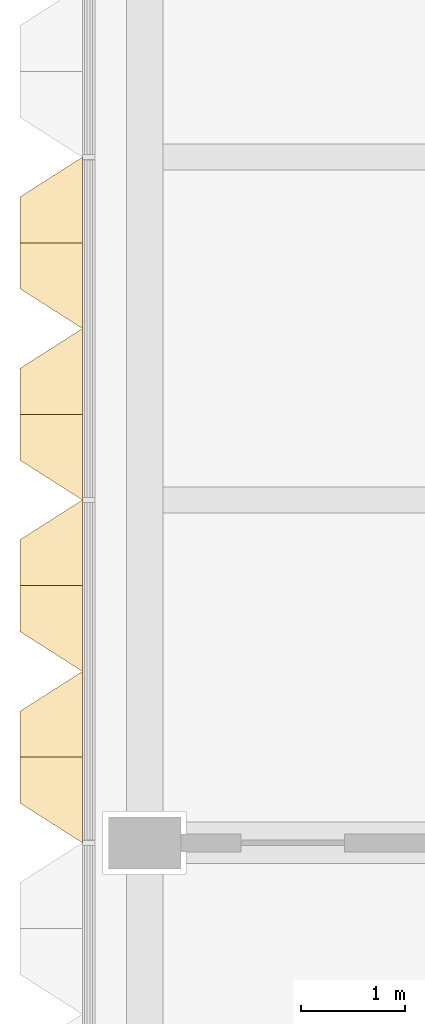
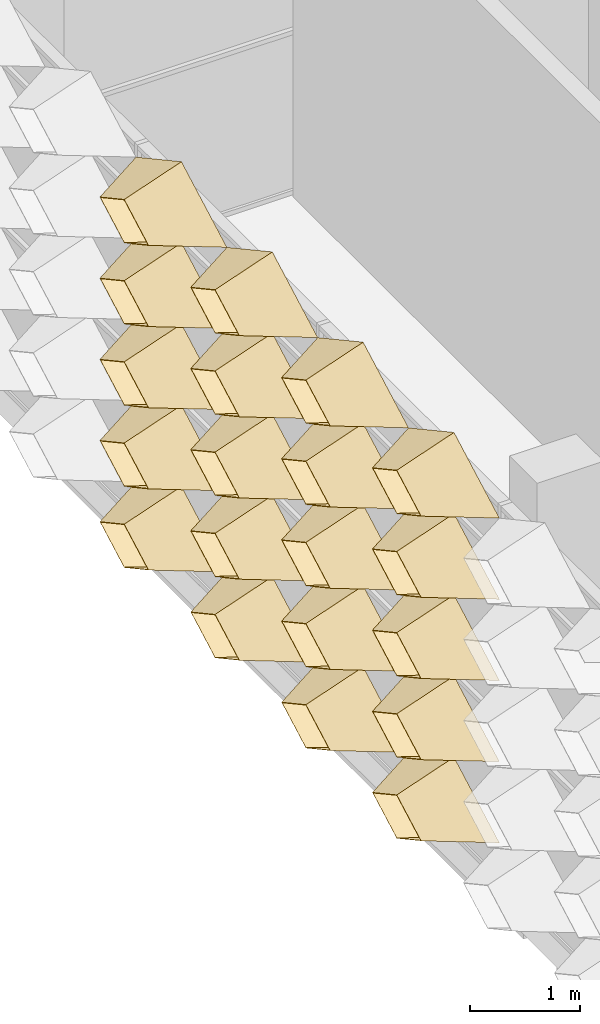
# One storey, part 21 of 29: 20 coverings.
"""IFC4 building model written with IfcOpenShell, lengths in metres."""

from ifc_helpers import new_model, entity, si_unit, direction, frame, origin, place, context, subcontext, project, spatial, material, layer, layer_set, type_object, element, save


model = new_model("IFC4")

# Units and contexts
model_context = context("Model", 3, precision=1e-05, world=origin(), true_north=direction((0.0, 1.0)))
body_context = subcontext(model_context, "Body", "Model", "MODEL_VIEW")
ifc_project = project(units=[si_unit("LENGTHUNIT", "METRE"), si_unit("AREAUNIT", "SQUARE_METRE"), si_unit("VOLUMEUNIT", "CUBIC_METRE"), si_unit("PLANEANGLEUNIT", "RADIAN"), si_unit("MASSUNIT", "GRAM", prefix="KILO")], contexts=[model_context])

# Site, building, storey
site_placement = place(None, origin())
site = spatial("IfcSite", under=ifc_project, at=site_placement, CompositionType="ELEMENT")
building_placement = place(site_placement, origin())
building = spatial("IfcBuilding", under=site, at=building_placement, Name="Lantern Court Research Institute", CompositionType="ELEMENT")
storey_placement = place(building_placement, frame((0.0, 0.0, 32.39990234375)))
storey = spatial("IfcBuildingStorey", under=building, at=storey_placement, Name="L07", CompositionType="ELEMENT", Elevation=32.39990234375)

# Coverings
ifc_material = material(Name="Anodised aluminium", Category="aluminium")
ifc_layer = layer(ifc_material, 0.01611328125)
ifc_layer_set = layer_set([ifc_layer], Name="Anodised aluminium")
covering_type = type_object("IfcCoveringType", Name="Fin cassette 1650 x 900 x 600 aluminium", PredefinedType="CLADDING", material=ifc_layer_set)
covering_1_placement = place(storey_placement, frame((52.199951171875, 14.02490234375, 0.4501953125), z_axis=(-1.0, 0.0, 0.0), x_axis=(0.0, -1.0, 0.0)))
cartesian_point_1 = entity("IfcCartesianPoint", [0.824951171875, 0.0])
cartesian_point_2 = entity("IfcCartesianPoint", [0.79150390625, 0.0])
cartesian_point_3 = entity("IfcCartesianPoint", [0.44189453125, 0.0])
cartesian_point_4 = entity("IfcCartesianPoint", [0.43359375, 0.0])
element("IfcCovering", 1, at=covering_1_placement, inside=storey, type_object=covering_type, Name="Fin cassette V5W-L07 1.9", PredefinedType="CLADDING", context=body_context, shape_type="SweptSolid", body=[
    entity("IfcExtrudedAreaSolidTapered", entity("IfcArbitraryProfileDefWithVoids", "AREA", None, entity("IfcPolyline", [cartesian_point_1, entity("IfcCartesianPoint", [0.0, 0.449951171875]), entity("IfcCartesianPoint", [-0.824951171875, 0.0]), entity("IfcCartesianPoint", [0.0, -0.449951171875]), cartesian_point_1]), [entity("IfcPolyline", [cartesian_point_2, entity("IfcCartesianPoint", [0.0, 0.431884765625]), entity("IfcCartesianPoint", [-0.79150390625, 0.0]), entity("IfcCartesianPoint", [0.0, -0.431884765625]), cartesian_point_2])]), entity("IfcAxis2Placement3D", entity("IfcCartesianPoint", [0.0, 0.0, 0.0])), entity("IfcDirection", [0.0, 0.0, 1.0]), 0.60009765625, entity("IfcArbitraryProfileDefWithVoids", "AREA", None, entity("IfcPolyline", [cartesian_point_3, entity("IfcCartesianPoint", [0.0, 0.240966796875]), entity("IfcCartesianPoint", [-0.44189453125, 0.0]), entity("IfcCartesianPoint", [0.0, -0.240966796875]), cartesian_point_3]), [entity("IfcPolyline", [cartesian_point_4, entity("IfcCartesianPoint", [0.0, 0.236572265625]), entity("IfcCartesianPoint", [-0.43359375, 0.0]), entity("IfcCartesianPoint", [0.0, -0.236572265625]), cartesian_point_4])])),
])
covering_2_placement = place(storey_placement, frame((52.199951171875, 15.675048828125, 0.4501953125), z_axis=(-1.0, 0.0, 0.0), x_axis=(0.0, -1.0, 0.0)))
cartesian_point_5 = entity("IfcCartesianPoint", [0.824951171875, 0.0])
cartesian_point_6 = entity("IfcCartesianPoint", [0.79150390625, 0.0])
cartesian_point_7 = entity("IfcCartesianPoint", [0.44189453125, 0.0])
cartesian_point_8 = entity("IfcCartesianPoint", [0.43359375, 0.0])
element("IfcCovering", 2, at=covering_2_placement, inside=storey, type_object=covering_type, Name="Fin cassette V5W-L07 1.10", PredefinedType="CLADDING", context=body_context, shape_type="SweptSolid", body=[
    entity("IfcExtrudedAreaSolidTapered", entity("IfcArbitraryProfileDefWithVoids", "AREA", None, entity("IfcPolyline", [cartesian_point_5, entity("IfcCartesianPoint", [0.0, 0.449951171875]), entity("IfcCartesianPoint", [-0.824951171875, 0.0]), entity("IfcCartesianPoint", [0.0, -0.449951171875]), cartesian_point_5]), [entity("IfcPolyline", [cartesian_point_6, entity("IfcCartesianPoint", [0.0, 0.431884765625]), entity("IfcCartesianPoint", [-0.79150390625, 0.0]), entity("IfcCartesianPoint", [0.0, -0.431884765625]), cartesian_point_6])]), entity("IfcAxis2Placement3D", entity("IfcCartesianPoint", [0.0, 0.0, 0.0])), entity("IfcDirection", [0.0, 0.0, 1.0]), 0.60009765625, entity("IfcArbitraryProfileDefWithVoids", "AREA", None, entity("IfcPolyline", [cartesian_point_7, entity("IfcCartesianPoint", [0.0, 0.240966796875]), entity("IfcCartesianPoint", [-0.44189453125, 0.0]), entity("IfcCartesianPoint", [0.0, -0.240966796875]), cartesian_point_7]), [entity("IfcPolyline", [cartesian_point_8, entity("IfcCartesianPoint", [0.0, 0.236572265625]), entity("IfcCartesianPoint", [-0.43359375, 0.0]), entity("IfcCartesianPoint", [0.0, -0.236572265625]), cartesian_point_8])])),
])
covering_3_placement = place(storey_placement, frame((52.199951171875, 17.324951171875, 0.4501953125), z_axis=(-1.0, 0.0, 0.0), x_axis=(0.0, -1.0, 0.0)))
cartesian_point_9 = entity("IfcCartesianPoint", [0.824951171875, 0.0])
cartesian_point_10 = entity("IfcCartesianPoint", [0.79150390625, 0.0])
cartesian_point_11 = entity("IfcCartesianPoint", [0.44189453125, 0.0])
cartesian_point_12 = entity("IfcCartesianPoint", [0.43359375, 0.0])
element("IfcCovering", 3, at=covering_3_placement, inside=storey, type_object=covering_type, Name="Fin cassette V5W-L07 1.11", PredefinedType="CLADDING", context=body_context, shape_type="SweptSolid", body=[
    entity("IfcExtrudedAreaSolidTapered", entity("IfcArbitraryProfileDefWithVoids", "AREA", None, entity("IfcPolyline", [cartesian_point_9, entity("IfcCartesianPoint", [0.0, 0.449951171875]), entity("IfcCartesianPoint", [-0.824951171875, 0.0]), entity("IfcCartesianPoint", [0.0, -0.449951171875]), cartesian_point_9]), [entity("IfcPolyline", [cartesian_point_10, entity("IfcCartesianPoint", [0.0, 0.431884765625]), entity("IfcCartesianPoint", [-0.79150390625, 0.0]), entity("IfcCartesianPoint", [0.0, -0.431884765625]), cartesian_point_10])]), entity("IfcAxis2Placement3D", entity("IfcCartesianPoint", [0.0, 0.0, 0.0])), entity("IfcDirection", [0.0, 0.0, 1.0]), 0.60009765625, entity("IfcArbitraryProfileDefWithVoids", "AREA", None, entity("IfcPolyline", [cartesian_point_11, entity("IfcCartesianPoint", [0.0, 0.240966796875]), entity("IfcCartesianPoint", [-0.44189453125, 0.0]), entity("IfcCartesianPoint", [0.0, -0.240966796875]), cartesian_point_11]), [entity("IfcPolyline", [cartesian_point_12, entity("IfcCartesianPoint", [0.0, 0.236572265625]), entity("IfcCartesianPoint", [-0.43359375, 0.0]), entity("IfcCartesianPoint", [0.0, -0.236572265625]), cartesian_point_12])])),
])
covering_4_placement = place(storey_placement, frame((52.199951171875, 18.97509765625, 0.4501953125), z_axis=(-1.0, 0.0, 0.0), x_axis=(0.0, -1.0, 0.0)))
cartesian_point_13 = entity("IfcCartesianPoint", [0.824951171875, 0.0])
cartesian_point_14 = entity("IfcCartesianPoint", [0.79150390625, 0.0])
cartesian_point_15 = entity("IfcCartesianPoint", [0.44189453125, 0.0])
cartesian_point_16 = entity("IfcCartesianPoint", [0.43359375, 0.0])
element("IfcCovering", 4, at=covering_4_placement, inside=storey, type_object=covering_type, Name="Fin cassette V5W-L07 1.12", PredefinedType="CLADDING", context=body_context, shape_type="SweptSolid", body=[
    entity("IfcExtrudedAreaSolidTapered", entity("IfcArbitraryProfileDefWithVoids", "AREA", None, entity("IfcPolyline", [cartesian_point_13, entity("IfcCartesianPoint", [0.0, 0.449951171875]), entity("IfcCartesianPoint", [-0.824951171875, 0.0]), entity("IfcCartesianPoint", [0.0, -0.449951171875]), cartesian_point_13]), [entity("IfcPolyline", [cartesian_point_14, entity("IfcCartesianPoint", [0.0, 0.431884765625]), entity("IfcCartesianPoint", [-0.79150390625, 0.0]), entity("IfcCartesianPoint", [0.0, -0.431884765625]), cartesian_point_14])]), entity("IfcAxis2Placement3D", entity("IfcCartesianPoint", [0.0, 0.0, 0.0])), entity("IfcDirection", [0.0, 0.0, 1.0]), 0.60009765625, entity("IfcArbitraryProfileDefWithVoids", "AREA", None, entity("IfcPolyline", [cartesian_point_15, entity("IfcCartesianPoint", [0.0, 0.240966796875]), entity("IfcCartesianPoint", [-0.44189453125, 0.0]), entity("IfcCartesianPoint", [0.0, -0.240966796875]), cartesian_point_15]), [entity("IfcPolyline", [cartesian_point_16, entity("IfcCartesianPoint", [0.0, 0.236572265625]), entity("IfcCartesianPoint", [-0.43359375, 0.0]), entity("IfcCartesianPoint", [0.0, -0.236572265625]), cartesian_point_16])])),
])
covering_5_placement = place(storey_placement, frame((52.199951171875, 14.02490234375, 1.35009765625), z_axis=(-1.0, 0.0, 0.0), x_axis=(0.0, -1.0, 0.0)))
cartesian_point_17 = entity("IfcCartesianPoint", [0.824951171875, 0.0])
cartesian_point_18 = entity("IfcCartesianPoint", [0.79150390625, 0.0])
cartesian_point_19 = entity("IfcCartesianPoint", [0.44189453125, 0.0])
cartesian_point_20 = entity("IfcCartesianPoint", [0.43359375, 0.0])
element("IfcCovering", 5, at=covering_5_placement, inside=storey, type_object=covering_type, Name="Fin cassette V5W-L07 2.9", PredefinedType="CLADDING", context=body_context, shape_type="SweptSolid", body=[
    entity("IfcExtrudedAreaSolidTapered", entity("IfcArbitraryProfileDefWithVoids", "AREA", None, entity("IfcPolyline", [cartesian_point_17, entity("IfcCartesianPoint", [0.0, 0.449951171875]), entity("IfcCartesianPoint", [-0.824951171875, 0.0]), entity("IfcCartesianPoint", [0.0, -0.449951171875]), cartesian_point_17]), [entity("IfcPolyline", [cartesian_point_18, entity("IfcCartesianPoint", [0.0, 0.431884765625]), entity("IfcCartesianPoint", [-0.79150390625, 0.0]), entity("IfcCartesianPoint", [0.0, -0.431884765625]), cartesian_point_18])]), entity("IfcAxis2Placement3D", entity("IfcCartesianPoint", [0.0, 0.0, 0.0])), entity("IfcDirection", [0.0, 0.0, 1.0]), 0.60009765625, entity("IfcArbitraryProfileDefWithVoids", "AREA", None, entity("IfcPolyline", [cartesian_point_19, entity("IfcCartesianPoint", [0.0, 0.240966796875]), entity("IfcCartesianPoint", [-0.44189453125, 0.0]), entity("IfcCartesianPoint", [0.0, -0.240966796875]), cartesian_point_19]), [entity("IfcPolyline", [cartesian_point_20, entity("IfcCartesianPoint", [0.0, 0.236572265625]), entity("IfcCartesianPoint", [-0.43359375, 0.0]), entity("IfcCartesianPoint", [0.0, -0.236572265625]), cartesian_point_20])])),
])
covering_6_placement = place(storey_placement, frame((52.199951171875, 15.675048828125, 1.35009765625), z_axis=(-1.0, 0.0, 0.0), x_axis=(0.0, -1.0, 0.0)))
cartesian_point_21 = entity("IfcCartesianPoint", [0.824951171875, 0.0])
cartesian_point_22 = entity("IfcCartesianPoint", [0.79150390625, 0.0])
cartesian_point_23 = entity("IfcCartesianPoint", [0.44189453125, 0.0])
cartesian_point_24 = entity("IfcCartesianPoint", [0.43359375, 0.0])
element("IfcCovering", 6, at=covering_6_placement, inside=storey, type_object=covering_type, Name="Fin cassette V5W-L07 2.10", PredefinedType="CLADDING", context=body_context, shape_type="SweptSolid", body=[
    entity("IfcExtrudedAreaSolidTapered", entity("IfcArbitraryProfileDefWithVoids", "AREA", None, entity("IfcPolyline", [cartesian_point_21, entity("IfcCartesianPoint", [0.0, 0.449951171875]), entity("IfcCartesianPoint", [-0.824951171875, 0.0]), entity("IfcCartesianPoint", [0.0, -0.449951171875]), cartesian_point_21]), [entity("IfcPolyline", [cartesian_point_22, entity("IfcCartesianPoint", [0.0, 0.431884765625]), entity("IfcCartesianPoint", [-0.79150390625, 0.0]), entity("IfcCartesianPoint", [0.0, -0.431884765625]), cartesian_point_22])]), entity("IfcAxis2Placement3D", entity("IfcCartesianPoint", [0.0, 0.0, 0.0])), entity("IfcDirection", [0.0, 0.0, 1.0]), 0.60009765625, entity("IfcArbitraryProfileDefWithVoids", "AREA", None, entity("IfcPolyline", [cartesian_point_23, entity("IfcCartesianPoint", [0.0, 0.240966796875]), entity("IfcCartesianPoint", [-0.44189453125, 0.0]), entity("IfcCartesianPoint", [0.0, -0.240966796875]), cartesian_point_23]), [entity("IfcPolyline", [cartesian_point_24, entity("IfcCartesianPoint", [0.0, 0.236572265625]), entity("IfcCartesianPoint", [-0.43359375, 0.0]), entity("IfcCartesianPoint", [0.0, -0.236572265625]), cartesian_point_24])])),
])
covering_7_placement = place(storey_placement, frame((52.199951171875, 17.324951171875, 1.35009765625), z_axis=(-1.0, 0.0, 0.0), x_axis=(0.0, -1.0, 0.0)))
cartesian_point_25 = entity("IfcCartesianPoint", [0.824951171875, 0.0])
cartesian_point_26 = entity("IfcCartesianPoint", [0.79150390625, 0.0])
cartesian_point_27 = entity("IfcCartesianPoint", [0.44189453125, 0.0])
cartesian_point_28 = entity("IfcCartesianPoint", [0.43359375, 0.0])
element("IfcCovering", 7, at=covering_7_placement, inside=storey, type_object=covering_type, Name="Fin cassette V5W-L07 2.11", PredefinedType="CLADDING", context=body_context, shape_type="SweptSolid", body=[
    entity("IfcExtrudedAreaSolidTapered", entity("IfcArbitraryProfileDefWithVoids", "AREA", None, entity("IfcPolyline", [cartesian_point_25, entity("IfcCartesianPoint", [0.0, 0.449951171875]), entity("IfcCartesianPoint", [-0.824951171875, 0.0]), entity("IfcCartesianPoint", [0.0, -0.449951171875]), cartesian_point_25]), [entity("IfcPolyline", [cartesian_point_26, entity("IfcCartesianPoint", [0.0, 0.431884765625]), entity("IfcCartesianPoint", [-0.79150390625, 0.0]), entity("IfcCartesianPoint", [0.0, -0.431884765625]), cartesian_point_26])]), entity("IfcAxis2Placement3D", entity("IfcCartesianPoint", [0.0, 0.0, 0.0])), entity("IfcDirection", [0.0, 0.0, 1.0]), 0.60009765625, entity("IfcArbitraryProfileDefWithVoids", "AREA", None, entity("IfcPolyline", [cartesian_point_27, entity("IfcCartesianPoint", [0.0, 0.240966796875]), entity("IfcCartesianPoint", [-0.44189453125, 0.0]), entity("IfcCartesianPoint", [0.0, -0.240966796875]), cartesian_point_27]), [entity("IfcPolyline", [cartesian_point_28, entity("IfcCartesianPoint", [0.0, 0.236572265625]), entity("IfcCartesianPoint", [-0.43359375, 0.0]), entity("IfcCartesianPoint", [0.0, -0.236572265625]), cartesian_point_28])])),
])
covering_8_placement = place(storey_placement, frame((52.199951171875, 18.97509765625, 1.35009765625), z_axis=(-1.0, 0.0, 0.0), x_axis=(0.0, -1.0, 0.0)))
cartesian_point_29 = entity("IfcCartesianPoint", [0.824951171875, 0.0])
cartesian_point_30 = entity("IfcCartesianPoint", [0.79150390625, 0.0])
cartesian_point_31 = entity("IfcCartesianPoint", [0.44189453125, 0.0])
cartesian_point_32 = entity("IfcCartesianPoint", [0.43359375, 0.0])
element("IfcCovering", 8, at=covering_8_placement, inside=storey, type_object=covering_type, Name="Fin cassette V5W-L07 2.12", PredefinedType="CLADDING", context=body_context, shape_type="SweptSolid", body=[
    entity("IfcExtrudedAreaSolidTapered", entity("IfcArbitraryProfileDefWithVoids", "AREA", None, entity("IfcPolyline", [cartesian_point_29, entity("IfcCartesianPoint", [0.0, 0.449951171875]), entity("IfcCartesianPoint", [-0.824951171875, 0.0]), entity("IfcCartesianPoint", [0.0, -0.449951171875]), cartesian_point_29]), [entity("IfcPolyline", [cartesian_point_30, entity("IfcCartesianPoint", [0.0, 0.431884765625]), entity("IfcCartesianPoint", [-0.79150390625, 0.0]), entity("IfcCartesianPoint", [0.0, -0.431884765625]), cartesian_point_30])]), entity("IfcAxis2Placement3D", entity("IfcCartesianPoint", [0.0, 0.0, 0.0])), entity("IfcDirection", [0.0, 0.0, 1.0]), 0.60009765625, entity("IfcArbitraryProfileDefWithVoids", "AREA", None, entity("IfcPolyline", [cartesian_point_31, entity("IfcCartesianPoint", [0.0, 0.240966796875]), entity("IfcCartesianPoint", [-0.44189453125, 0.0]), entity("IfcCartesianPoint", [0.0, -0.240966796875]), cartesian_point_31]), [entity("IfcPolyline", [cartesian_point_32, entity("IfcCartesianPoint", [0.0, 0.236572265625]), entity("IfcCartesianPoint", [-0.43359375, 0.0]), entity("IfcCartesianPoint", [0.0, -0.236572265625]), cartesian_point_32])])),
])
covering_9_placement = place(storey_placement, frame((52.199951171875, 14.02490234375, 2.25), z_axis=(-1.0, 0.0, 0.0), x_axis=(0.0, -1.0, 0.0)))
cartesian_point_33 = entity("IfcCartesianPoint", [0.824951171875, 0.0])
cartesian_point_34 = entity("IfcCartesianPoint", [0.79150390625, 0.0])
cartesian_point_35 = entity("IfcCartesianPoint", [0.44189453125, 0.0])
cartesian_point_36 = entity("IfcCartesianPoint", [0.43359375, 0.0])
element("IfcCovering", 9, at=covering_9_placement, inside=storey, type_object=covering_type, Name="Fin cassette V5W-L07 3.9", PredefinedType="CLADDING", context=body_context, shape_type="SweptSolid", body=[
    entity("IfcExtrudedAreaSolidTapered", entity("IfcArbitraryProfileDefWithVoids", "AREA", None, entity("IfcPolyline", [cartesian_point_33, entity("IfcCartesianPoint", [0.0, 0.449951171875]), entity("IfcCartesianPoint", [-0.824951171875, 0.0]), entity("IfcCartesianPoint", [0.0, -0.449951171875]), cartesian_point_33]), [entity("IfcPolyline", [cartesian_point_34, entity("IfcCartesianPoint", [0.0, 0.431884765625]), entity("IfcCartesianPoint", [-0.79150390625, 0.0]), entity("IfcCartesianPoint", [0.0, -0.431884765625]), cartesian_point_34])]), entity("IfcAxis2Placement3D", entity("IfcCartesianPoint", [0.0, 0.0, 0.0])), entity("IfcDirection", [0.0, 0.0, 1.0]), 0.60009765625, entity("IfcArbitraryProfileDefWithVoids", "AREA", None, entity("IfcPolyline", [cartesian_point_35, entity("IfcCartesianPoint", [0.0, 0.240966796875]), entity("IfcCartesianPoint", [-0.44189453125, 0.0]), entity("IfcCartesianPoint", [0.0, -0.240966796875]), cartesian_point_35]), [entity("IfcPolyline", [cartesian_point_36, entity("IfcCartesianPoint", [0.0, 0.236572265625]), entity("IfcCartesianPoint", [-0.43359375, 0.0]), entity("IfcCartesianPoint", [0.0, -0.236572265625]), cartesian_point_36])])),
])
covering_10_placement = place(storey_placement, frame((52.199951171875, 15.675048828125, 2.25), z_axis=(-1.0, 0.0, 0.0), x_axis=(0.0, -1.0, 0.0)))
cartesian_point_37 = entity("IfcCartesianPoint", [0.824951171875, 0.0])
cartesian_point_38 = entity("IfcCartesianPoint", [0.79150390625, 0.0])
cartesian_point_39 = entity("IfcCartesianPoint", [0.44189453125, 0.0])
cartesian_point_40 = entity("IfcCartesianPoint", [0.43359375, 0.0])
element("IfcCovering", 10, at=covering_10_placement, inside=storey, type_object=covering_type, Name="Fin cassette V5W-L07 3.10", PredefinedType="CLADDING", context=body_context, shape_type="SweptSolid", body=[
    entity("IfcExtrudedAreaSolidTapered", entity("IfcArbitraryProfileDefWithVoids", "AREA", None, entity("IfcPolyline", [cartesian_point_37, entity("IfcCartesianPoint", [0.0, 0.449951171875]), entity("IfcCartesianPoint", [-0.824951171875, 0.0]), entity("IfcCartesianPoint", [0.0, -0.449951171875]), cartesian_point_37]), [entity("IfcPolyline", [cartesian_point_38, entity("IfcCartesianPoint", [0.0, 0.431884765625]), entity("IfcCartesianPoint", [-0.79150390625, 0.0]), entity("IfcCartesianPoint", [0.0, -0.431884765625]), cartesian_point_38])]), entity("IfcAxis2Placement3D", entity("IfcCartesianPoint", [0.0, 0.0, 0.0])), entity("IfcDirection", [0.0, 0.0, 1.0]), 0.60009765625, entity("IfcArbitraryProfileDefWithVoids", "AREA", None, entity("IfcPolyline", [cartesian_point_39, entity("IfcCartesianPoint", [0.0, 0.240966796875]), entity("IfcCartesianPoint", [-0.44189453125, 0.0]), entity("IfcCartesianPoint", [0.0, -0.240966796875]), cartesian_point_39]), [entity("IfcPolyline", [cartesian_point_40, entity("IfcCartesianPoint", [0.0, 0.236572265625]), entity("IfcCartesianPoint", [-0.43359375, 0.0]), entity("IfcCartesianPoint", [0.0, -0.236572265625]), cartesian_point_40])])),
])
covering_11_placement = place(storey_placement, frame((52.199951171875, 17.324951171875, 2.25), z_axis=(-1.0, 0.0, 0.0), x_axis=(0.0, -1.0, 0.0)))
cartesian_point_41 = entity("IfcCartesianPoint", [0.824951171875, 0.0])
cartesian_point_42 = entity("IfcCartesianPoint", [0.79150390625, 0.0])
cartesian_point_43 = entity("IfcCartesianPoint", [0.44189453125, 0.0])
cartesian_point_44 = entity("IfcCartesianPoint", [0.43359375, 0.0])
element("IfcCovering", 11, at=covering_11_placement, inside=storey, type_object=covering_type, Name="Fin cassette V5W-L07 3.11", PredefinedType="CLADDING", context=body_context, shape_type="SweptSolid", body=[
    entity("IfcExtrudedAreaSolidTapered", entity("IfcArbitraryProfileDefWithVoids", "AREA", None, entity("IfcPolyline", [cartesian_point_41, entity("IfcCartesianPoint", [0.0, 0.449951171875]), entity("IfcCartesianPoint", [-0.824951171875, 0.0]), entity("IfcCartesianPoint", [0.0, -0.449951171875]), cartesian_point_41]), [entity("IfcPolyline", [cartesian_point_42, entity("IfcCartesianPoint", [0.0, 0.431884765625]), entity("IfcCartesianPoint", [-0.79150390625, 0.0]), entity("IfcCartesianPoint", [0.0, -0.431884765625]), cartesian_point_42])]), entity("IfcAxis2Placement3D", entity("IfcCartesianPoint", [0.0, 0.0, 0.0])), entity("IfcDirection", [0.0, 0.0, 1.0]), 0.60009765625, entity("IfcArbitraryProfileDefWithVoids", "AREA", None, entity("IfcPolyline", [cartesian_point_43, entity("IfcCartesianPoint", [0.0, 0.240966796875]), entity("IfcCartesianPoint", [-0.44189453125, 0.0]), entity("IfcCartesianPoint", [0.0, -0.240966796875]), cartesian_point_43]), [entity("IfcPolyline", [cartesian_point_44, entity("IfcCartesianPoint", [0.0, 0.236572265625]), entity("IfcCartesianPoint", [-0.43359375, 0.0]), entity("IfcCartesianPoint", [0.0, -0.236572265625]), cartesian_point_44])])),
])
covering_12_placement = place(storey_placement, frame((52.199951171875, 18.97509765625, 2.25), z_axis=(-1.0, 0.0, 0.0), x_axis=(0.0, -1.0, 0.0)))
cartesian_point_45 = entity("IfcCartesianPoint", [0.824951171875, 0.0])
cartesian_point_46 = entity("IfcCartesianPoint", [0.79150390625, 0.0])
cartesian_point_47 = entity("IfcCartesianPoint", [0.44189453125, 0.0])
cartesian_point_48 = entity("IfcCartesianPoint", [0.43359375, 0.0])
element("IfcCovering", 12, at=covering_12_placement, inside=storey, type_object=covering_type, Name="Fin cassette V5W-L07 3.12", PredefinedType="CLADDING", context=body_context, shape_type="SweptSolid", body=[
    entity("IfcExtrudedAreaSolidTapered", entity("IfcArbitraryProfileDefWithVoids", "AREA", None, entity("IfcPolyline", [cartesian_point_45, entity("IfcCartesianPoint", [0.0, 0.449951171875]), entity("IfcCartesianPoint", [-0.824951171875, 0.0]), entity("IfcCartesianPoint", [0.0, -0.449951171875]), cartesian_point_45]), [entity("IfcPolyline", [cartesian_point_46, entity("IfcCartesianPoint", [0.0, 0.431884765625]), entity("IfcCartesianPoint", [-0.79150390625, 0.0]), entity("IfcCartesianPoint", [0.0, -0.431884765625]), cartesian_point_46])]), entity("IfcAxis2Placement3D", entity("IfcCartesianPoint", [0.0, 0.0, 0.0])), entity("IfcDirection", [0.0, 0.0, 1.0]), 0.60009765625, entity("IfcArbitraryProfileDefWithVoids", "AREA", None, entity("IfcPolyline", [cartesian_point_47, entity("IfcCartesianPoint", [0.0, 0.240966796875]), entity("IfcCartesianPoint", [-0.44189453125, 0.0]), entity("IfcCartesianPoint", [0.0, -0.240966796875]), cartesian_point_47]), [entity("IfcPolyline", [cartesian_point_48, entity("IfcCartesianPoint", [0.0, 0.236572265625]), entity("IfcCartesianPoint", [-0.43359375, 0.0]), entity("IfcCartesianPoint", [0.0, -0.236572265625]), cartesian_point_48])])),
])
covering_13_placement = place(storey_placement, frame((52.199951171875, 14.02490234375, 3.150146484375), z_axis=(-1.0, 0.0, 0.0), x_axis=(0.0, -1.0, 0.0)))
cartesian_point_49 = entity("IfcCartesianPoint", [0.824951171875, 0.0])
cartesian_point_50 = entity("IfcCartesianPoint", [0.79150390625, 0.0])
cartesian_point_51 = entity("IfcCartesianPoint", [0.44189453125, 0.0])
cartesian_point_52 = entity("IfcCartesianPoint", [0.43359375, 0.0])
element("IfcCovering", 13, at=covering_13_placement, inside=storey, type_object=covering_type, Name="Fin cassette V5W-L07 4.9", PredefinedType="CLADDING", context=body_context, shape_type="SweptSolid", body=[
    entity("IfcExtrudedAreaSolidTapered", entity("IfcArbitraryProfileDefWithVoids", "AREA", None, entity("IfcPolyline", [cartesian_point_49, entity("IfcCartesianPoint", [0.0, 0.449951171875]), entity("IfcCartesianPoint", [-0.824951171875, 0.0]), entity("IfcCartesianPoint", [0.0, -0.449951171875]), cartesian_point_49]), [entity("IfcPolyline", [cartesian_point_50, entity("IfcCartesianPoint", [0.0, 0.431884765625]), entity("IfcCartesianPoint", [-0.79150390625, 0.0]), entity("IfcCartesianPoint", [0.0, -0.431884765625]), cartesian_point_50])]), entity("IfcAxis2Placement3D", entity("IfcCartesianPoint", [0.0, 0.0, 0.0])), entity("IfcDirection", [0.0, 0.0, 1.0]), 0.60009765625, entity("IfcArbitraryProfileDefWithVoids", "AREA", None, entity("IfcPolyline", [cartesian_point_51, entity("IfcCartesianPoint", [0.0, 0.240966796875]), entity("IfcCartesianPoint", [-0.44189453125, 0.0]), entity("IfcCartesianPoint", [0.0, -0.240966796875]), cartesian_point_51]), [entity("IfcPolyline", [cartesian_point_52, entity("IfcCartesianPoint", [0.0, 0.236572265625]), entity("IfcCartesianPoint", [-0.43359375, 0.0]), entity("IfcCartesianPoint", [0.0, -0.236572265625]), cartesian_point_52])])),
])
covering_14_placement = place(storey_placement, frame((52.199951171875, 15.675048828125, 3.150146484375), z_axis=(-1.0, 0.0, 0.0), x_axis=(0.0, -1.0, 0.0)))
cartesian_point_53 = entity("IfcCartesianPoint", [0.824951171875, 0.0])
cartesian_point_54 = entity("IfcCartesianPoint", [0.79150390625, 0.0])
cartesian_point_55 = entity("IfcCartesianPoint", [0.44189453125, 0.0])
cartesian_point_56 = entity("IfcCartesianPoint", [0.43359375, 0.0])
element("IfcCovering", 14, at=covering_14_placement, inside=storey, type_object=covering_type, Name="Fin cassette V5W-L07 4.10", PredefinedType="CLADDING", context=body_context, shape_type="SweptSolid", body=[
    entity("IfcExtrudedAreaSolidTapered", entity("IfcArbitraryProfileDefWithVoids", "AREA", None, entity("IfcPolyline", [cartesian_point_53, entity("IfcCartesianPoint", [0.0, 0.449951171875]), entity("IfcCartesianPoint", [-0.824951171875, 0.0]), entity("IfcCartesianPoint", [0.0, -0.449951171875]), cartesian_point_53]), [entity("IfcPolyline", [cartesian_point_54, entity("IfcCartesianPoint", [0.0, 0.431884765625]), entity("IfcCartesianPoint", [-0.79150390625, 0.0]), entity("IfcCartesianPoint", [0.0, -0.431884765625]), cartesian_point_54])]), entity("IfcAxis2Placement3D", entity("IfcCartesianPoint", [0.0, 0.0, 0.0])), entity("IfcDirection", [0.0, 0.0, 1.0]), 0.60009765625, entity("IfcArbitraryProfileDefWithVoids", "AREA", None, entity("IfcPolyline", [cartesian_point_55, entity("IfcCartesianPoint", [0.0, 0.240966796875]), entity("IfcCartesianPoint", [-0.44189453125, 0.0]), entity("IfcCartesianPoint", [0.0, -0.240966796875]), cartesian_point_55]), [entity("IfcPolyline", [cartesian_point_56, entity("IfcCartesianPoint", [0.0, 0.236572265625]), entity("IfcCartesianPoint", [-0.43359375, 0.0]), entity("IfcCartesianPoint", [0.0, -0.236572265625]), cartesian_point_56])])),
])
covering_15_placement = place(storey_placement, frame((52.199951171875, 17.324951171875, 3.150146484375), z_axis=(-1.0, 0.0, 0.0), x_axis=(0.0, -1.0, 0.0)))
cartesian_point_57 = entity("IfcCartesianPoint", [0.824951171875, 0.0])
cartesian_point_58 = entity("IfcCartesianPoint", [0.79150390625, 0.0])
cartesian_point_59 = entity("IfcCartesianPoint", [0.44189453125, 0.0])
cartesian_point_60 = entity("IfcCartesianPoint", [0.43359375, 0.0])
element("IfcCovering", 15, at=covering_15_placement, inside=storey, type_object=covering_type, Name="Fin cassette V5W-L07 4.11", PredefinedType="CLADDING", context=body_context, shape_type="SweptSolid", body=[
    entity("IfcExtrudedAreaSolidTapered", entity("IfcArbitraryProfileDefWithVoids", "AREA", None, entity("IfcPolyline", [cartesian_point_57, entity("IfcCartesianPoint", [0.0, 0.449951171875]), entity("IfcCartesianPoint", [-0.824951171875, 0.0]), entity("IfcCartesianPoint", [0.0, -0.449951171875]), cartesian_point_57]), [entity("IfcPolyline", [cartesian_point_58, entity("IfcCartesianPoint", [0.0, 0.431884765625]), entity("IfcCartesianPoint", [-0.79150390625, 0.0]), entity("IfcCartesianPoint", [0.0, -0.431884765625]), cartesian_point_58])]), entity("IfcAxis2Placement3D", entity("IfcCartesianPoint", [0.0, 0.0, 0.0])), entity("IfcDirection", [0.0, 0.0, 1.0]), 0.60009765625, entity("IfcArbitraryProfileDefWithVoids", "AREA", None, entity("IfcPolyline", [cartesian_point_59, entity("IfcCartesianPoint", [0.0, 0.240966796875]), entity("IfcCartesianPoint", [-0.44189453125, 0.0]), entity("IfcCartesianPoint", [0.0, -0.240966796875]), cartesian_point_59]), [entity("IfcPolyline", [cartesian_point_60, entity("IfcCartesianPoint", [0.0, 0.236572265625]), entity("IfcCartesianPoint", [-0.43359375, 0.0]), entity("IfcCartesianPoint", [0.0, -0.236572265625]), cartesian_point_60])])),
])
covering_16_placement = place(storey_placement, frame((52.199951171875, 18.97509765625, 3.150146484375), z_axis=(-1.0, 0.0, 0.0), x_axis=(0.0, -1.0, 0.0)))
cartesian_point_61 = entity("IfcCartesianPoint", [0.824951171875, 0.0])
cartesian_point_62 = entity("IfcCartesianPoint", [0.79150390625, 0.0])
cartesian_point_63 = entity("IfcCartesianPoint", [0.44189453125, 0.0])
cartesian_point_64 = entity("IfcCartesianPoint", [0.43359375, 0.0])
element("IfcCovering", 16, at=covering_16_placement, inside=storey, type_object=covering_type, Name="Fin cassette V5W-L07 4.12", PredefinedType="CLADDING", context=body_context, shape_type="SweptSolid", body=[
    entity("IfcExtrudedAreaSolidTapered", entity("IfcArbitraryProfileDefWithVoids", "AREA", None, entity("IfcPolyline", [cartesian_point_61, entity("IfcCartesianPoint", [0.0, 0.449951171875]), entity("IfcCartesianPoint", [-0.824951171875, 0.0]), entity("IfcCartesianPoint", [0.0, -0.449951171875]), cartesian_point_61]), [entity("IfcPolyline", [cartesian_point_62, entity("IfcCartesianPoint", [0.0, 0.431884765625]), entity("IfcCartesianPoint", [-0.79150390625, 0.0]), entity("IfcCartesianPoint", [0.0, -0.431884765625]), cartesian_point_62])]), entity("IfcAxis2Placement3D", entity("IfcCartesianPoint", [0.0, 0.0, 0.0])), entity("IfcDirection", [0.0, 0.0, 1.0]), 0.60009765625, entity("IfcArbitraryProfileDefWithVoids", "AREA", None, entity("IfcPolyline", [cartesian_point_63, entity("IfcCartesianPoint", [0.0, 0.240966796875]), entity("IfcCartesianPoint", [-0.44189453125, 0.0]), entity("IfcCartesianPoint", [0.0, -0.240966796875]), cartesian_point_63]), [entity("IfcPolyline", [cartesian_point_64, entity("IfcCartesianPoint", [0.0, 0.236572265625]), entity("IfcCartesianPoint", [-0.43359375, 0.0]), entity("IfcCartesianPoint", [0.0, -0.236572265625]), cartesian_point_64])])),
])
covering_17_placement = place(storey_placement, frame((52.199951171875, 14.02490234375, 4.050048828125), z_axis=(-1.0, 0.0, 0.0), x_axis=(0.0, -1.0, 0.0)))
cartesian_point_65 = entity("IfcCartesianPoint", [0.824951171875, 0.0])
cartesian_point_66 = entity("IfcCartesianPoint", [0.79150390625, 0.0])
cartesian_point_67 = entity("IfcCartesianPoint", [0.44189453125, 0.0])
cartesian_point_68 = entity("IfcCartesianPoint", [0.43359375, 0.0])
element("IfcCovering", 17, at=covering_17_placement, inside=storey, type_object=covering_type, Name="Fin cassette V5W-L07 5.9", PredefinedType="CLADDING", context=body_context, shape_type="SweptSolid", body=[
    entity("IfcExtrudedAreaSolidTapered", entity("IfcArbitraryProfileDefWithVoids", "AREA", None, entity("IfcPolyline", [cartesian_point_65, entity("IfcCartesianPoint", [0.0, 0.449951171875]), entity("IfcCartesianPoint", [-0.824951171875, 0.0]), entity("IfcCartesianPoint", [0.0, -0.449951171875]), cartesian_point_65]), [entity("IfcPolyline", [cartesian_point_66, entity("IfcCartesianPoint", [0.0, 0.431884765625]), entity("IfcCartesianPoint", [-0.79150390625, 0.0]), entity("IfcCartesianPoint", [0.0, -0.431884765625]), cartesian_point_66])]), entity("IfcAxis2Placement3D", entity("IfcCartesianPoint", [0.0, 0.0, 0.0])), entity("IfcDirection", [0.0, 0.0, 1.0]), 0.60009765625, entity("IfcArbitraryProfileDefWithVoids", "AREA", None, entity("IfcPolyline", [cartesian_point_67, entity("IfcCartesianPoint", [0.0, 0.240966796875]), entity("IfcCartesianPoint", [-0.44189453125, 0.0]), entity("IfcCartesianPoint", [0.0, -0.240966796875]), cartesian_point_67]), [entity("IfcPolyline", [cartesian_point_68, entity("IfcCartesianPoint", [0.0, 0.236572265625]), entity("IfcCartesianPoint", [-0.43359375, 0.0]), entity("IfcCartesianPoint", [0.0, -0.236572265625]), cartesian_point_68])])),
])
covering_18_placement = place(storey_placement, frame((52.199951171875, 15.675048828125, 4.050048828125), z_axis=(-1.0, 0.0, 0.0), x_axis=(0.0, -1.0, 0.0)))
cartesian_point_69 = entity("IfcCartesianPoint", [0.824951171875, 0.0])
cartesian_point_70 = entity("IfcCartesianPoint", [0.79150390625, 0.0])
cartesian_point_71 = entity("IfcCartesianPoint", [0.44189453125, 0.0])
cartesian_point_72 = entity("IfcCartesianPoint", [0.43359375, 0.0])
element("IfcCovering", 18, at=covering_18_placement, inside=storey, type_object=covering_type, Name="Fin cassette V5W-L07 5.10", PredefinedType="CLADDING", context=body_context, shape_type="SweptSolid", body=[
    entity("IfcExtrudedAreaSolidTapered", entity("IfcArbitraryProfileDefWithVoids", "AREA", None, entity("IfcPolyline", [cartesian_point_69, entity("IfcCartesianPoint", [0.0, 0.449951171875]), entity("IfcCartesianPoint", [-0.824951171875, 0.0]), entity("IfcCartesianPoint", [0.0, -0.449951171875]), cartesian_point_69]), [entity("IfcPolyline", [cartesian_point_70, entity("IfcCartesianPoint", [0.0, 0.431884765625]), entity("IfcCartesianPoint", [-0.79150390625, 0.0]), entity("IfcCartesianPoint", [0.0, -0.431884765625]), cartesian_point_70])]), entity("IfcAxis2Placement3D", entity("IfcCartesianPoint", [0.0, 0.0, 0.0])), entity("IfcDirection", [0.0, 0.0, 1.0]), 0.60009765625, entity("IfcArbitraryProfileDefWithVoids", "AREA", None, entity("IfcPolyline", [cartesian_point_71, entity("IfcCartesianPoint", [0.0, 0.240966796875]), entity("IfcCartesianPoint", [-0.44189453125, 0.0]), entity("IfcCartesianPoint", [0.0, -0.240966796875]), cartesian_point_71]), [entity("IfcPolyline", [cartesian_point_72, entity("IfcCartesianPoint", [0.0, 0.236572265625]), entity("IfcCartesianPoint", [-0.43359375, 0.0]), entity("IfcCartesianPoint", [0.0, -0.236572265625]), cartesian_point_72])])),
])
covering_19_placement = place(storey_placement, frame((52.199951171875, 17.324951171875, 4.050048828125), z_axis=(-1.0, 0.0, 0.0), x_axis=(0.0, -1.0, 0.0)))
cartesian_point_73 = entity("IfcCartesianPoint", [0.824951171875, 0.0])
cartesian_point_74 = entity("IfcCartesianPoint", [0.79150390625, 0.0])
cartesian_point_75 = entity("IfcCartesianPoint", [0.44189453125, 0.0])
cartesian_point_76 = entity("IfcCartesianPoint", [0.43359375, 0.0])
element("IfcCovering", 19, at=covering_19_placement, inside=storey, type_object=covering_type, Name="Fin cassette V5W-L07 5.11", PredefinedType="CLADDING", context=body_context, shape_type="SweptSolid", body=[
    entity("IfcExtrudedAreaSolidTapered", entity("IfcArbitraryProfileDefWithVoids", "AREA", None, entity("IfcPolyline", [cartesian_point_73, entity("IfcCartesianPoint", [0.0, 0.449951171875]), entity("IfcCartesianPoint", [-0.824951171875, 0.0]), entity("IfcCartesianPoint", [0.0, -0.449951171875]), cartesian_point_73]), [entity("IfcPolyline", [cartesian_point_74, entity("IfcCartesianPoint", [0.0, 0.431884765625]), entity("IfcCartesianPoint", [-0.79150390625, 0.0]), entity("IfcCartesianPoint", [0.0, -0.431884765625]), cartesian_point_74])]), entity("IfcAxis2Placement3D", entity("IfcCartesianPoint", [0.0, 0.0, 0.0])), entity("IfcDirection", [0.0, 0.0, 1.0]), 0.60009765625, entity("IfcArbitraryProfileDefWithVoids", "AREA", None, entity("IfcPolyline", [cartesian_point_75, entity("IfcCartesianPoint", [0.0, 0.240966796875]), entity("IfcCartesianPoint", [-0.44189453125, 0.0]), entity("IfcCartesianPoint", [0.0, -0.240966796875]), cartesian_point_75]), [entity("IfcPolyline", [cartesian_point_76, entity("IfcCartesianPoint", [0.0, 0.236572265625]), entity("IfcCartesianPoint", [-0.43359375, 0.0]), entity("IfcCartesianPoint", [0.0, -0.236572265625]), cartesian_point_76])])),
])
covering_20_placement = place(storey_placement, frame((52.199951171875, 18.97509765625, 4.050048828125), z_axis=(-1.0, 0.0, 0.0), x_axis=(0.0, -1.0, 0.0)))
cartesian_point_77 = entity("IfcCartesianPoint", [0.824951171875, 0.0])
cartesian_point_78 = entity("IfcCartesianPoint", [0.79150390625, 0.0])
cartesian_point_79 = entity("IfcCartesianPoint", [0.44189453125, 0.0])
cartesian_point_80 = entity("IfcCartesianPoint", [0.43359375, 0.0])
element("IfcCovering", 20, at=covering_20_placement, inside=storey, type_object=covering_type, Name="Fin cassette V5W-L07 5.12", PredefinedType="CLADDING", context=body_context, shape_type="SweptSolid", body=[
    entity("IfcExtrudedAreaSolidTapered", entity("IfcArbitraryProfileDefWithVoids", "AREA", None, entity("IfcPolyline", [cartesian_point_77, entity("IfcCartesianPoint", [0.0, 0.449951171875]), entity("IfcCartesianPoint", [-0.824951171875, 0.0]), entity("IfcCartesianPoint", [0.0, -0.449951171875]), cartesian_point_77]), [entity("IfcPolyline", [cartesian_point_78, entity("IfcCartesianPoint", [0.0, 0.431884765625]), entity("IfcCartesianPoint", [-0.79150390625, 0.0]), entity("IfcCartesianPoint", [0.0, -0.431884765625]), cartesian_point_78])]), entity("IfcAxis2Placement3D", entity("IfcCartesianPoint", [0.0, 0.0, 0.0])), entity("IfcDirection", [0.0, 0.0, 1.0]), 0.60009765625, entity("IfcArbitraryProfileDefWithVoids", "AREA", None, entity("IfcPolyline", [cartesian_point_79, entity("IfcCartesianPoint", [0.0, 0.240966796875]), entity("IfcCartesianPoint", [-0.44189453125, 0.0]), entity("IfcCartesianPoint", [0.0, -0.240966796875]), cartesian_point_79]), [entity("IfcPolyline", [cartesian_point_80, entity("IfcCartesianPoint", [0.0, 0.236572265625]), entity("IfcCartesianPoint", [-0.43359375, 0.0]), entity("IfcCartesianPoint", [0.0, -0.236572265625]), cartesian_point_80])])),
])

save(model, "model.ifc")
